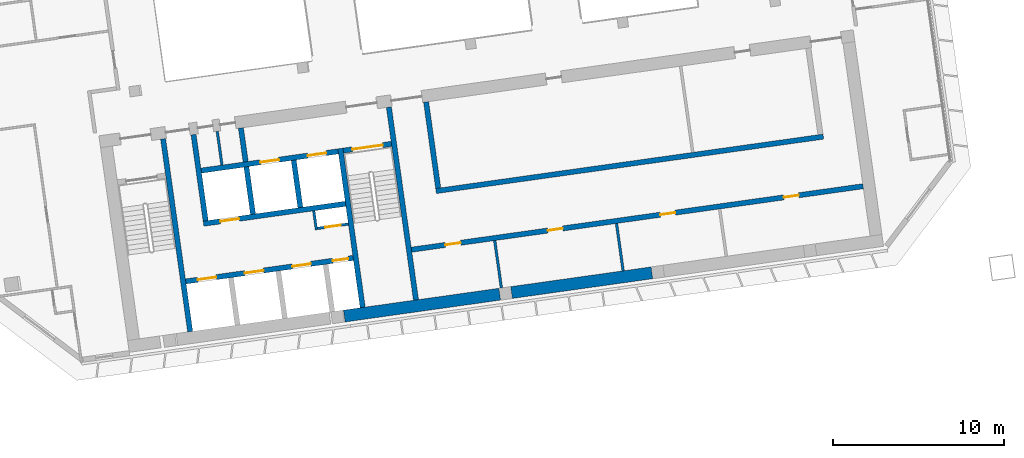
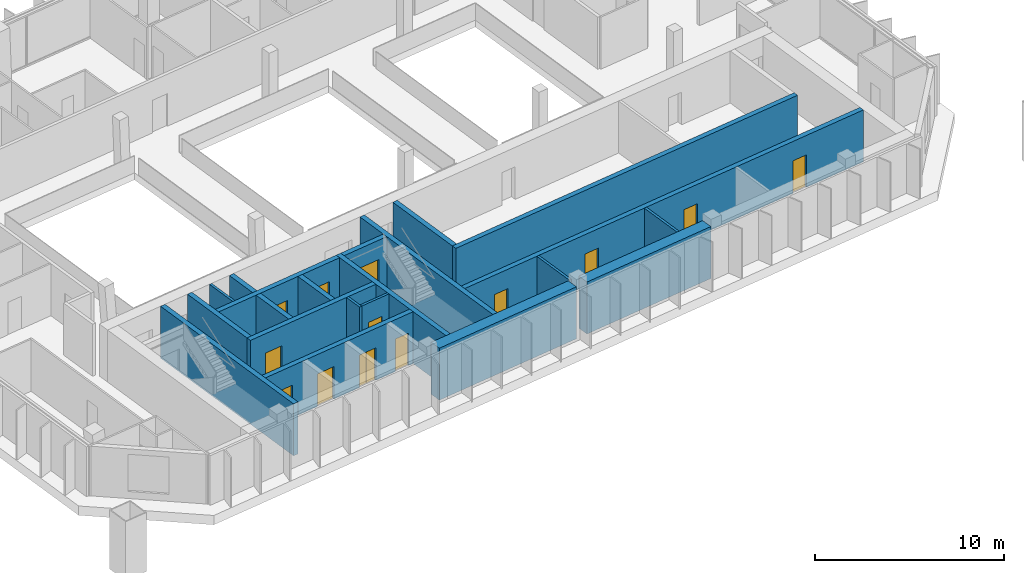
# One storey, part 18 of 23: 21 walls, 13 doors, 13 openings.
"""IFC4 building model written with IfcOpenShell, lengths in metres."""

from ifc_helpers import new_model, si_unit, direction, frame, frame_2d, origin, place, context, subcontext, project, spatial, rectangle, extrude, material, layer, layer_set, type_object, element, fill, save


model = new_model("IFC4")

# Units and contexts
model_context = context("Model", 3, precision=1e-05, world=origin(), true_north=direction((0.0, 1.0)))
body_context = subcontext(model_context, "Body", "Model", "MODEL_VIEW")
ifc_project = project(units=[si_unit("LENGTHUNIT", "METRE"), si_unit("AREAUNIT", "SQUARE_METRE"), si_unit("VOLUMEUNIT", "CUBIC_METRE"), si_unit("PLANEANGLEUNIT", "RADIAN"), si_unit("MASSUNIT", "GRAM", prefix="KILO")], contexts=[model_context])

# Site, building, storey
site_placement = place(None, origin())
site = spatial("IfcSite", under=ifc_project, at=site_placement, CompositionType="ELEMENT")
building_placement = place(site_placement, origin())
building = spatial("IfcBuilding", under=site, at=building_placement, Name="Mirante Cascada Hotel Towers", CompositionType="ELEMENT")
storey_placement = place(building_placement, frame((0.0, 0.0, 199.2)))
storey = spatial("IfcBuildingStorey", under=building, at=storey_placement, Name="L47", CompositionType="ELEMENT", Elevation=199.2)

# Wall
ifc_material_1 = material(Name="Masonry block", Category="masonry")
ifc_layer_1 = layer(ifc_material_1, 0.15)
ifc_layer_set_1 = layer_set([ifc_layer_1], Name="Core room partition 150 block EI 30")
wall_type_1 = type_object("IfcWallType", Name="Core room partition 150 block EI 30", PredefinedType="PARTITIONING", material=ifc_layer_set_1)
wall_1_placement = place(storey_placement, frame((48.2295, -12.793, 0.0), z_axis=(0.0, 0.0, 1.0), x_axis=(-0.1391935, 0.9902652, 0.0)))
element("IfcWall", 1, at=wall_1_placement, inside=storey, type_object=wall_type_1, Name="Core wall partition T2 L47 2", PredefinedType="PARTITIONING", context=body_context, shape_type="SweptSolid", body=[
    extrude(rectangle(XDim=1.1251, YDim=0.15, at=frame_2d((0.5626, 0.0))), origin(), (0.0, 0.0, 1.0), 3.35),
])

# Wall, opening, door
wall_2_placement = place(storey_placement, frame((48.2933, -12.7083, 0.0), z_axis=(0.0, 0.0, 1.0), x_axis=(0.990268, 0.1391734, 0.0)))
wall_2 = element("IfcWall", 2, at=wall_2_placement, inside=storey, type_object=wall_type_1, Name="Core wall partition T2 L47 3", PredefinedType="PARTITIONING", context=body_context, shape_type="SweptSolid", body=[
    extrude(rectangle(XDim=1.8251, YDim=0.15, at=frame_2d((0.9126, 0.0))), origin(), (0.0, 0.0, 1.0), 3.35),
])
opening_1_placement = place(wall_2_placement, frame((0.4625, 0.0, 0.0)))
opening_1 = element("IfcOpeningElement", 3, at=opening_1_placement, cuts=wall_2, Name="Opening D2-47-C15", PredefinedType="OPENING", context=body_context, shape_type="SweptSolid", body=[
    extrude(rectangle(XDim=0.9, YDim=2.1, at=frame_2d((0.45, 1.05))), frame((0.0, 0.075, 0.0), z_axis=(0.0, -1.0, 0.0), x_axis=(1.0, 0.0, 0.0)), (0.0, 0.0, 1.0), 0.15),
])
ifc_material_2 = material(Name="Hollow metal fire door leaf")
door_type_1 = type_object("IfcDoorType", Name="Fire door 900x2100 FD60", OperationType="NOTDEFINED", PredefinedType="DOOR", material=ifc_material_2)
door_1_placement = place(opening_1_placement, frame((0.9, 0.0, 0.0), z_axis=(0.0, 0.0, 1.0), x_axis=(-1.0, 0.0, 0.0)))
door_1 = element("IfcDoor", 4, at=door_1_placement, inside=storey, type_object=door_type_1, Name="Riser door T2 L47 15", OperationType="SINGLE_SWING_RIGHT", OverallHeight=2.1, OverallWidth=0.9, PredefinedType="DOOR", context=body_context, shape_type="SweptSolid", body=[
    extrude(rectangle(XDim=0.9, YDim=2.1, at=frame_2d((0.45, 1.05))), frame((0.0, 0.025, 0.0), z_axis=(0.0, -1.0, 0.0), x_axis=(1.0, 0.0, 0.0)), (0.0, 0.0, 1.0), 0.05),
])
fill(opening_1, door_1)

# Walls
wall_3_placement = place(storey_placement, frame((42.6979, -9.0009, 0.0), z_axis=(0.0, 0.0, 1.0), x_axis=(-0.1391529, 0.9902709, 0.0)))
element("IfcWall", 5, at=wall_3_placement, inside=storey, type_object=wall_type_1, Name="Core wall partition T2 L47 4", PredefinedType="PARTITIONING", context=body_context, shape_type="SweptSolid", body=[
    extrude(rectangle(XDim=2.0, YDim=0.15, at=frame_2d((1.0, 0.0))), origin(), (0.0, 0.0, 1.0), 3.35),
])
for number, where, z_axis, x_axis, name in (
    (6, (59.0582, -16.194, 0.0), (0.0, 0.0, 1.0), (-0.139181, 0.990267, 0.0), "Core wall partition T2 L47 6"),
    (7, (66.1881, -15.192, 0.0), (0.0, 0.0, 1.0), (-0.139141, 0.9902726, 0.0), "Core wall partition T2 L47 7"),
):
    element("IfcWall", number, at=place(storey_placement, frame(where, z_axis=z_axis, x_axis=x_axis)), inside=storey, type_object=wall_type_1, Name=name, PredefinedType="PARTITIONING", context=body_context, shape_type="SweptSolid", body=[
        extrude(rectangle(XDim=2.8, YDim=0.15, at=frame_2d((1.4, 0.0))), origin(), (0.0, 0.0, 1.0), 3.35),
    ])
ifc_material_3 = material(Name="Masonry block", Category="masonry")
ifc_layer_2 = layer(ifc_material_3, 0.3)
ifc_layer_set_2 = layer_set([ifc_layer_2], Name="Core wall 300 block EI 120")
wall_type_2 = type_object("IfcWallType", Name="Core wall 300 block EI 120", PredefinedType="PARTITIONING", material=ifc_layer_set_2)
wall_4_placement = place(storey_placement, frame((44.0843, -8.8061, 0.0), z_axis=(0.0, 0.0, 1.0), x_axis=(-0.1391951, 0.990265, 0.0)))
element("IfcWall", 8, at=wall_4_placement, inside=storey, type_object=wall_type_2, Name="Core wall partition T2 L47 1", PredefinedType="PARTITIONING", context=body_context, shape_type="SweptSolid", body=[
    extrude(rectangle(XDim=2.0001, YDim=0.3, at=frame_2d((1.0001, 0.0))), origin(), (0.0, 0.0, 1.0), 3.35),
])

# Wall, openings, doors
wall_5_placement = place(storey_placement, frame((53.7953, -13.9547, 0.0), z_axis=(0.0, 0.0, 1.0), x_axis=(0.9902677, 0.1391758, 0.0)))
wall_5 = element("IfcWall", 9, at=wall_5_placement, inside=storey, type_object=wall_type_2, Name="Core wall partition T2 L47 5", PredefinedType="PARTITIONING", context=body_context, shape_type="SweptSolid", body=[
    extrude(rectangle(XDim=26.7001, YDim=0.3, at=frame_2d((13.35, 0.0))), origin(), (0.0, 0.0, 1.0), 3.35),
])
opening_2_placement = place(wall_5_placement, frame((2.0, 0.0, 0.0)))
opening_2 = element("IfcOpeningElement", 10, at=opening_2_placement, cuts=wall_5, Name="Opening D2-47-C18", PredefinedType="OPENING", context=body_context, shape_type="SweptSolid", body=[
    extrude(rectangle(XDim=0.9, YDim=2.1, at=frame_2d((0.45, 1.05))), frame((0.0, 0.15, 0.0), z_axis=(0.0, -1.0, 0.0), x_axis=(1.0, 0.0, 0.0)), (0.0, 0.0, 1.0), 0.3),
])
opening_3_placement = place(wall_5_placement, frame((8.05, 0.0, 0.0)))
opening_3 = element("IfcOpeningElement", 11, at=opening_3_placement, cuts=wall_5, Name="Opening D2-47-C19", PredefinedType="OPENING", context=body_context, shape_type="SweptSolid", body=[
    extrude(rectangle(XDim=0.9, YDim=2.1, at=frame_2d((0.45, 1.05))), frame((0.0, 0.15, 0.0), z_axis=(0.0, -1.0, 0.0), x_axis=(1.0, 0.0, 0.0)), (0.0, 0.0, 1.0), 0.3),
])
opening_4_placement = place(wall_5_placement, frame((14.7, 0.0, 0.0)))
opening_4 = element("IfcOpeningElement", 12, at=opening_4_placement, cuts=wall_5, Name="Opening D2-47-C20", PredefinedType="OPENING", context=body_context, shape_type="SweptSolid", body=[
    extrude(rectangle(XDim=0.9, YDim=2.1, at=frame_2d((0.45, 1.05))), frame((0.0, 0.15, 0.0), z_axis=(0.0, -1.0, 0.0), x_axis=(1.0, 0.0, 0.0)), (0.0, 0.0, 1.0), 0.3),
])
opening_5_placement = place(wall_5_placement, frame((22.0, 0.0, 0.0)))
opening_5 = element("IfcOpeningElement", 13, at=opening_5_placement, cuts=wall_5, Name="Opening D2-47-C21", PredefinedType="OPENING", context=body_context, shape_type="SweptSolid", body=[
    extrude(rectangle(XDim=0.9, YDim=2.1, at=frame_2d((0.45, 1.05))), frame((0.0, 0.15, 0.0), z_axis=(0.0, -1.0, 0.0), x_axis=(1.0, 0.0, 0.0)), (0.0, 0.0, 1.0), 0.3),
])
door_2_placement = place(opening_2_placement, frame((0.9, 0.0, 0.0), z_axis=(0.0, 0.0, 1.0), x_axis=(-1.0, 0.0, 0.0)))
door_2 = element("IfcDoor", 14, at=door_2_placement, inside=storey, type_object=door_type_1, Name="Room door T2 L47 18", OperationType="SINGLE_SWING_LEFT", OverallHeight=2.1, OverallWidth=0.9, PredefinedType="DOOR", context=body_context, shape_type="SweptSolid", body=[
    extrude(rectangle(XDim=0.9, YDim=2.1, at=frame_2d((0.45, 1.05))), frame((0.0, 0.025, 0.0), z_axis=(0.0, -1.0, 0.0), x_axis=(1.0, 0.0, 0.0)), (0.0, 0.0, 1.0), 0.05),
])
fill(opening_2, door_2)
door_3_placement = place(opening_3_placement, frame((0.9, 0.0, 0.0), z_axis=(0.0, 0.0, 1.0), x_axis=(-1.0, 0.0, 0.0)))
door_3 = element("IfcDoor", 15, at=door_3_placement, inside=storey, type_object=door_type_1, Name="Room door T2 L47 19", OperationType="SINGLE_SWING_LEFT", OverallHeight=2.1, OverallWidth=0.9, PredefinedType="DOOR", context=body_context, shape_type="SweptSolid", body=[
    extrude(rectangle(XDim=0.9, YDim=2.1, at=frame_2d((0.45, 1.05))), frame((0.0, 0.025, 0.0), z_axis=(0.0, -1.0, 0.0), x_axis=(1.0, 0.0, 0.0)), (0.0, 0.0, 1.0), 0.05),
])
fill(opening_3, door_3)
door_4_placement = place(opening_4_placement, frame((0.9, 0.0, 0.0), z_axis=(0.0, 0.0, 1.0), x_axis=(-1.0, 0.0, 0.0)))
door_4 = element("IfcDoor", 16, at=door_4_placement, inside=storey, type_object=door_type_1, Name="Room door T2 L47 20", OperationType="SINGLE_SWING_RIGHT", OverallHeight=2.1, OverallWidth=0.9, PredefinedType="DOOR", context=body_context, shape_type="SweptSolid", body=[
    extrude(rectangle(XDim=0.9, YDim=2.1, at=frame_2d((0.45, 1.05))), frame((0.0, 0.025, 0.0), z_axis=(0.0, -1.0, 0.0), x_axis=(1.0, 0.0, 0.0)), (0.0, 0.0, 1.0), 0.05),
])
fill(opening_4, door_4)
door_5_placement = place(opening_5_placement, frame((0.9, 0.0, 0.0), z_axis=(0.0, 0.0, 1.0), x_axis=(-1.0, 0.0, 0.0)))
door_5 = element("IfcDoor", 17, at=door_5_placement, inside=storey, type_object=door_type_1, Name="Room door T2 L47 21", OperationType="SINGLE_SWING_RIGHT", OverallHeight=2.1, OverallWidth=0.9, PredefinedType="DOOR", context=body_context, shape_type="SweptSolid", body=[
    extrude(rectangle(XDim=0.9, YDim=2.1, at=frame_2d((0.45, 1.05))), frame((0.0, 0.025, 0.0), z_axis=(0.0, -1.0, 0.0), x_axis=(1.0, 0.0, 0.0)), (0.0, 0.0, 1.0), 0.05),
])
fill(opening_5, door_5)

# Walls
ifc_material_4 = material(Name="Concrete C50/60", Category="concrete")
ifc_layer_3 = layer(ifc_material_4, 0.3)
ifc_layer_set_3 = layer_set([ifc_layer_3], Name="RC core wall 300 C50/60")
wall_type_3 = type_object("IfcWallType", Name="RC core wall 300 C50/60", PredefinedType="SHEAR", material=ifc_layer_set_3)
wall_6_placement = place(storey_placement, frame((40.8373, -18.7548, 0.0), z_axis=(0.0, 0.0, 1.0), x_axis=(-0.1391749, 0.9902678, 0.0)))
element("IfcWall", 18, at=wall_6_placement, inside=storey, type_object=wall_type_3, Name="Core wall T2:L47:5", PredefinedType="SHEAR", context=body_context, shape_type="SweptSolid", body=[
    extrude(rectangle(XDim=11.4, YDim=0.3, at=frame_2d((5.7, 0.0))), origin(), (0.0, 0.0, 1.0), 3.35),
])
wall_7_placement = place(storey_placement, frame((50.938, -17.3352, 0.0), z_axis=(0.0, 0.0, 1.0), x_axis=(-0.1391706, 0.9902684, 0.0)))
element("IfcWall", 19, at=wall_7_placement, inside=storey, type_object=wall_type_3, Name="Core wall T2:L47:6", PredefinedType="SHEAR", context=body_context, shape_type="SweptSolid", body=[
    extrude(rectangle(XDim=9.4, YDim=0.3, at=frame_2d((4.7, 0.0))), origin(), (0.0, 0.0, 1.0), 3.35),
])
wall_8_placement = place(storey_placement, frame((54.0574, -16.8968, 0.0), z_axis=(0.0, 0.0, 1.0), x_axis=(-0.1391761, 0.9902677, 0.0)))
element("IfcWall", 20, at=wall_8_placement, inside=storey, type_object=wall_type_3, Name="Core wall T2:L47:7", PredefinedType="SHEAR", context=body_context, shape_type="SweptSolid", body=[
    extrude(rectangle(XDim=11.3999, YDim=0.3, at=frame_2d((5.7, 0.0))), origin(), (0.0, 0.0, 1.0), 3.35),
])

# Wall, opening, door
wall_9_placement = place(storey_placement, frame((49.7992, -8.1544, 0.0), z_axis=(0.0, 0.0, 1.0), x_axis=(0.9902656, 0.1391909, 0.0)))
wall_9 = element("IfcWall", 21, at=wall_9_placement, inside=storey, type_object=wall_type_3, Name="Core wall T2:L47:9", PredefinedType="SHEAR", context=body_context, shape_type="SweptSolid", body=[
    extrude(rectangle(XDim=2.85, YDim=0.3, at=frame_2d((1.425, 0.0))), origin(), (0.0, 0.0, 1.0), 3.35),
])
opening_6_placement = place(wall_9_placement, frame((0.525, 0.0, 0.0)))
opening_6 = element("IfcOpeningElement", 22, at=opening_6_placement, cuts=wall_9, Name="Opening D2-47-C09", PredefinedType="OPENING", context=body_context, shape_type="SweptSolid", body=[
    extrude(rectangle(XDim=1.8, YDim=2.1, at=frame_2d((0.9, 1.05))), frame((0.0, 0.15, 0.0), z_axis=(0.0, -1.0, 0.0), x_axis=(1.0, 0.0, 0.0)), (0.0, 0.0, 1.0), 0.3),
])
ifc_material_5 = material(Name="Hollow metal fire door leaf")
door_type_2 = type_object("IfcDoorType", Name="Double fire door 1800x2100 FD60", OperationType="DOUBLE_DOOR_SINGLE_SWING", PredefinedType="DOOR", material=ifc_material_5)
door_6_placement = place(opening_6_placement, frame((1.8, 0.0, 0.0), z_axis=(0.0, 0.0, 1.0), x_axis=(-1.0, 0.0, 0.0)))
door_6 = element("IfcDoor", 23, at=door_6_placement, inside=storey, type_object=door_type_2, Name="Stair door T2 L47 9", OperationType="DOUBLE_DOOR_SINGLE_SWING", OverallHeight=2.1, OverallWidth=1.8, PredefinedType="DOOR", context=body_context, shape_type="SweptSolid", body=[
    extrude(rectangle(XDim=0.895, YDim=2.1, at=frame_2d((0.4475, 1.05))), frame((0.0, 0.025, 0.0), z_axis=(0.0, -1.0, 0.0), x_axis=(1.0, 0.0, 0.0)), (0.0, 0.0, 1.0), 0.05),
    extrude(rectangle(XDim=0.895, YDim=2.1, at=frame_2d((1.3525, 1.05))), frame((0.0, 0.025, 0.0), z_axis=(0.0, -1.0, 0.0), x_axis=(1.0, 0.0, 0.0)), (0.0, 0.0, 1.0), 0.05),
])
fill(opening_6, door_6)

# Wall, openings, doors
wall_10_placement = place(storey_placement, frame((40.5753, -15.8126, 0.0), z_axis=(0.0, 0.0, 1.0), x_axis=(0.9902682, 0.1391725, 0.0)))
wall_10 = element("IfcWall", 24, at=wall_10_placement, inside=storey, type_object=wall_type_3, Name="Core wall T2:L47:10", PredefinedType="SHEAR", context=body_context, shape_type="SweptSolid", body=[
    extrude(rectangle(XDim=9.8999, YDim=0.3, at=frame_2d((4.95, 0.0))), origin(), (0.0, 0.0, 1.0), 3.35),
])
opening_7_placement = place(wall_10_placement, frame((0.7, 0.0, 0.0)))
opening_7 = element("IfcOpeningElement", 25, at=opening_7_placement, cuts=wall_10, Name="Opening LD", PredefinedType="OPENING", context=body_context, shape_type="SweptSolid", body=[
    extrude(rectangle(XDim=1.1, YDim=2.1, at=frame_2d((0.55, 1.05))), frame((0.0, 0.15, 0.0), z_axis=(0.0, -1.0, 0.0), x_axis=(1.0, 0.0, 0.0)), (0.0, 0.0, 1.0), 0.3),
])
opening_8_placement = place(wall_10_placement, frame((3.5, 0.0, 0.0)))
opening_8 = element("IfcOpeningElement", 26, at=opening_8_placement, cuts=wall_10, Name="Opening LD", PredefinedType="OPENING", context=body_context, shape_type="SweptSolid", body=[
    extrude(rectangle(XDim=1.1, YDim=2.1, at=frame_2d((0.55, 1.05))), frame((0.0, 0.15, 0.0), z_axis=(0.0, -1.0, 0.0), x_axis=(1.0, 0.0, 0.0)), (0.0, 0.0, 1.0), 0.3),
])
opening_9_placement = place(wall_10_placement, frame((6.3, 0.0, 0.0)))
opening_9 = element("IfcOpeningElement", 27, at=opening_9_placement, cuts=wall_10, Name="Opening LD", PredefinedType="OPENING", context=body_context, shape_type="SweptSolid", body=[
    extrude(rectangle(XDim=1.1, YDim=2.1, at=frame_2d((0.55, 1.05))), frame((0.0, 0.15, 0.0), z_axis=(0.0, -1.0, 0.0), x_axis=(1.0, 0.0, 0.0)), (0.0, 0.0, 1.0), 0.3),
])
opening_10_placement = place(wall_10_placement, frame((8.7, 0.0, 0.0)))
opening_10 = element("IfcOpeningElement", 28, at=opening_10_placement, cuts=wall_10, Name="Opening D2-47-C14", PredefinedType="OPENING", context=body_context, shape_type="SweptSolid", body=[
    extrude(rectangle(XDim=0.9, YDim=2.1, at=frame_2d((0.45, 1.05))), frame((0.0, 0.15, 0.0), z_axis=(0.0, -1.0, 0.0), x_axis=(1.0, 0.0, 0.0)), (0.0, 0.0, 1.0), 0.3),
])
door_7_placement = place(opening_10_placement, frame((0.9, 0.0, 0.0), z_axis=(0.0, 0.0, 1.0), x_axis=(-1.0, 0.0, 0.0)))
door_7 = element("IfcDoor", 29, at=door_7_placement, inside=storey, type_object=door_type_1, Name="Riser door T2 L47 14", OperationType="SINGLE_SWING_RIGHT", OverallHeight=2.1, OverallWidth=0.9, PredefinedType="DOOR", context=body_context, shape_type="SweptSolid", body=[
    extrude(rectangle(XDim=0.9, YDim=2.1, at=frame_2d((0.45, 1.05))), frame((0.0, 0.025, 0.0), z_axis=(0.0, -1.0, 0.0), x_axis=(1.0, 0.0, 0.0)), (0.0, 0.0, 1.0), 0.05),
])
fill(opening_10, door_7)
ifc_material_6 = material(Name="Stainless steel", Category="steel")
door_type_3 = type_object("IfcDoorType", Name="Lift landing door 1100x2100 EI 120", OperationType="DOUBLE_DOOR_SLIDING", PredefinedType="DOOR", material=ifc_material_6)
door_8_placement = place(opening_7_placement, origin())
door_8 = element("IfcDoor", 30, at=door_8_placement, inside=storey, type_object=door_type_3, Name="Lift landing door HR2-1 L47", OperationType="DOUBLE_DOOR_SLIDING", OverallHeight=2.1, OverallWidth=1.1, PredefinedType="DOOR", context=body_context, shape_type="SweptSolid", body=[
    extrude(rectangle(XDim=0.545, YDim=2.1, at=frame_2d((0.2725, 1.05))), frame((0.0, 0.025, 0.0), z_axis=(0.0, -1.0, 0.0), x_axis=(1.0, 0.0, 0.0)), (0.0, 0.0, 1.0), 0.05),
    extrude(rectangle(XDim=0.545, YDim=2.1, at=frame_2d((0.8275, 1.05))), frame((0.0, 0.025, 0.0), z_axis=(0.0, -1.0, 0.0), x_axis=(1.0, 0.0, 0.0)), (0.0, 0.0, 1.0), 0.05),
])
fill(opening_7, door_8)
door_9_placement = place(opening_8_placement, origin())
door_9 = element("IfcDoor", 31, at=door_9_placement, inside=storey, type_object=door_type_3, Name="Lift landing door HR2-2 L47", OperationType="DOUBLE_DOOR_SLIDING", OverallHeight=2.1, OverallWidth=1.1, PredefinedType="DOOR", context=body_context, shape_type="SweptSolid", body=[
    extrude(rectangle(XDim=0.545, YDim=2.1, at=frame_2d((0.2725, 1.05))), frame((0.0, 0.025, 0.0), z_axis=(0.0, -1.0, 0.0), x_axis=(1.0, 0.0, 0.0)), (0.0, 0.0, 1.0), 0.05),
    extrude(rectangle(XDim=0.545, YDim=2.1, at=frame_2d((0.8275, 1.05))), frame((0.0, 0.025, 0.0), z_axis=(0.0, -1.0, 0.0), x_axis=(1.0, 0.0, 0.0)), (0.0, 0.0, 1.0), 0.05),
])
fill(opening_8, door_9)
door_10_placement = place(opening_9_placement, origin())
door_10 = element("IfcDoor", 32, at=door_10_placement, inside=storey, type_object=door_type_3, Name="Lift landing door HR2-3 L47", OperationType="DOUBLE_DOOR_SLIDING", OverallHeight=2.1, OverallWidth=1.1, PredefinedType="DOOR", context=body_context, shape_type="SweptSolid", body=[
    extrude(rectangle(XDim=0.545, YDim=2.1, at=frame_2d((0.2725, 1.05))), frame((0.0, 0.025, 0.0), z_axis=(0.0, -1.0, 0.0), x_axis=(1.0, 0.0, 0.0)), (0.0, 0.0, 1.0), 0.05),
    extrude(rectangle(XDim=0.545, YDim=2.1, at=frame_2d((0.8275, 1.05))), frame((0.0, 0.025, 0.0), z_axis=(0.0, -1.0, 0.0), x_axis=(1.0, 0.0, 0.0)), (0.0, 0.0, 1.0), 0.05),
])
fill(opening_9, door_10)

# Wall, opening, door
wall_11_placement = place(storey_placement, frame((41.6153, -12.435, 0.0), z_axis=(0.0, 0.0, 1.0), x_axis=(0.9902691, 0.139166, 0.0)))
wall_11 = element("IfcWall", 33, at=wall_11_placement, inside=storey, type_object=wall_type_3, Name="Core wall T2:L47:11", PredefinedType="SHEAR", context=body_context, shape_type="SweptSolid", body=[
    extrude(rectangle(XDim=8.4, YDim=0.3, at=frame_2d((4.2, 0.0))), origin(), (0.0, 0.0, 1.0), 3.35),
])
opening_11_placement = place(wall_11_placement, frame((1.0, 0.0, 0.0)))
opening_11 = element("IfcOpeningElement", 34, at=opening_11_placement, cuts=wall_11, Name="Opening LD", PredefinedType="OPENING", context=body_context, shape_type="SweptSolid", body=[
    extrude(rectangle(XDim=1.1, YDim=2.1, at=frame_2d((0.55, 1.05))), frame((0.0, 0.15, 0.0), z_axis=(0.0, -1.0, 0.0), x_axis=(1.0, 0.0, 0.0)), (0.0, 0.0, 1.0), 0.3),
])
door_11_placement = place(opening_11_placement, origin())
door_11 = element("IfcDoor", 35, at=door_11_placement, inside=storey, type_object=door_type_3, Name="Lift landing door HR2-4 L47", OperationType="DOUBLE_DOOR_SLIDING", OverallHeight=2.1, OverallWidth=1.1, PredefinedType="DOOR", context=body_context, shape_type="SweptSolid", body=[
    extrude(rectangle(XDim=0.545, YDim=2.1, at=frame_2d((0.2725, 1.05))), frame((0.0, 0.025, 0.0), z_axis=(0.0, -1.0, 0.0), x_axis=(1.0, 0.0, 0.0)), (0.0, 0.0, 1.0), 0.05),
    extrude(rectangle(XDim=0.545, YDim=2.1, at=frame_2d((0.8275, 1.05))), frame((0.0, 0.025, 0.0), z_axis=(0.0, -1.0, 0.0), x_axis=(1.0, 0.0, 0.0)), (0.0, 0.0, 1.0), 0.05),
])
fill(opening_11, door_11)

# Wall, openings, doors
wall_12_placement = place(storey_placement, frame((41.481, -9.3234, 0.0), z_axis=(0.0, 0.0, 1.0), x_axis=(0.9902679, 0.1391741, 0.0)))
wall_12 = element("IfcWall", 36, at=wall_12_placement, inside=storey, type_object=wall_type_3, Name="Core wall T2:L47:12", PredefinedType="SHEAR", context=body_context, shape_type="SweptSolid", body=[
    extrude(rectangle(XDim=8.0999, YDim=0.3, at=frame_2d((4.05, 0.0))), origin(), (0.0, 0.0, 1.0), 3.35),
])
opening_12_placement = place(wall_12_placement, frame((3.5, 0.0, 0.0)))
opening_12 = element("IfcOpeningElement", 37, at=opening_12_placement, cuts=wall_12, Name="Opening LD", PredefinedType="OPENING", context=body_context, shape_type="SweptSolid", body=[
    extrude(rectangle(XDim=1.1, YDim=2.1, at=frame_2d((0.55, 1.05))), frame((0.0, 0.15, 0.0), z_axis=(0.0, -1.0, 0.0), x_axis=(1.0, 0.0, 0.0)), (0.0, 0.0, 1.0), 0.3),
])
opening_13_placement = place(wall_12_placement, frame((6.3, 0.0, 0.0)))
opening_13 = element("IfcOpeningElement", 38, at=opening_13_placement, cuts=wall_12, Name="Opening LD", PredefinedType="OPENING", context=body_context, shape_type="SweptSolid", body=[
    extrude(rectangle(XDim=1.1, YDim=2.1, at=frame_2d((0.55, 1.05))), frame((0.0, 0.15, 0.0), z_axis=(0.0, -1.0, 0.0), x_axis=(1.0, 0.0, 0.0)), (0.0, 0.0, 1.0), 0.3),
])
door_12_placement = place(opening_12_placement, origin())
door_12 = element("IfcDoor", 39, at=door_12_placement, inside=storey, type_object=door_type_3, Name="Lift landing door FF3 L47", OperationType="DOUBLE_DOOR_SLIDING", OverallHeight=2.1, OverallWidth=1.1, PredefinedType="DOOR", context=body_context, shape_type="SweptSolid", body=[
    extrude(rectangle(XDim=0.545, YDim=2.1, at=frame_2d((0.2725, 1.05))), frame((0.0, 0.025, 0.0), z_axis=(0.0, -1.0, 0.0), x_axis=(1.0, 0.0, 0.0)), (0.0, 0.0, 1.0), 0.05),
    extrude(rectangle(XDim=0.545, YDim=2.1, at=frame_2d((0.8275, 1.05))), frame((0.0, 0.025, 0.0), z_axis=(0.0, -1.0, 0.0), x_axis=(1.0, 0.0, 0.0)), (0.0, 0.0, 1.0), 0.05),
])
fill(opening_12, door_12)
door_13_placement = place(opening_13_placement, origin())
door_13 = element("IfcDoor", 40, at=door_13_placement, inside=storey, type_object=door_type_3, Name="Lift landing door FF4 L47", OperationType="DOUBLE_DOOR_SLIDING", OverallHeight=2.1, OverallWidth=1.1, PredefinedType="DOOR", context=body_context, shape_type="SweptSolid", body=[
    extrude(rectangle(XDim=0.545, YDim=2.1, at=frame_2d((0.2725, 1.05))), frame((0.0, 0.025, 0.0), z_axis=(0.0, -1.0, 0.0), x_axis=(1.0, 0.0, 0.0)), (0.0, 0.0, 1.0), 0.05),
    extrude(rectangle(XDim=0.545, YDim=2.1, at=frame_2d((0.8275, 1.05))), frame((0.0, 0.025, 0.0), z_axis=(0.0, -1.0, 0.0), x_axis=(1.0, 0.0, 0.0)), (0.0, 0.0, 1.0), 0.05),
])
fill(opening_13, door_13)

# Walls
for number, where, z_axis, x_axis, name in (
    (41, (44.5157, -11.8759, 0.0), (0.0, 0.0, 1.0), (-0.139181, 0.990267, 0.0), "Core wall T2:L47:16"),
    (42, (47.2885, -11.4862, 0.0), (0.0, 0.0, 1.0), (-0.139181, 0.990267, 0.0), "Core wall T2:L47:17"),
):
    element("IfcWall", number, at=place(storey_placement, frame(where, z_axis=z_axis, x_axis=x_axis)), inside=storey, type_object=wall_type_3, Name=name, PredefinedType="SHEAR", context=body_context, shape_type="SweptSolid", body=[
        extrude(rectangle(XDim=2.8, YDim=0.3, at=frame_2d((1.4, 0.0))), origin(), (0.0, 0.0, 1.0), 3.35),
    ])
wall_13_placement = place(storey_placement, frame((41.743, -12.2656, 0.0), z_axis=(0.0, 0.0, 1.0), x_axis=(-0.1391755, 0.9902677, 0.0)))
element("IfcWall", 43, at=wall_13_placement, inside=storey, type_object=wall_type_3, Name="Core wall T2:L47:18", PredefinedType="SHEAR", context=body_context, shape_type="SweptSolid", body=[
    extrude(rectangle(XDim=5.1, YDim=0.3, at=frame_2d((2.55, 0.0))), origin(), (0.0, 0.0, 1.0), 3.35),
])
wall_14_placement = place(storey_placement, frame((55.2315, -10.5214, 0.0), z_axis=(0.0, 0.0, 1.0), x_axis=(0.9902678, 0.1391749, 0.0)))
element("IfcWall", 44, at=wall_14_placement, inside=storey, type_object=wall_type_3, Name="Core wall T2:L47:27", PredefinedType="SHEAR", context=body_context, shape_type="SweptSolid", body=[
    extrude(rectangle(XDim=22.9, YDim=0.3, at=frame_2d((11.45, 0.0))), origin(), (0.0, 0.0, 1.0), 3.35),
])
wall_15_placement = place(storey_placement, frame((55.3592, -10.352, 0.0), z_axis=(0.0, 0.0, 1.0), x_axis=(-0.1391755, 0.9902677, 0.0)))
element("IfcWall", 45, at=wall_15_placement, inside=storey, type_object=wall_type_3, Name="Core wall T2:L47:28", PredefinedType="SHEAR", context=body_context, shape_type="SweptSolid", body=[
    extrude(rectangle(XDim=5.1, YDim=0.3, at=frame_2d((2.55, 0.0))), origin(), (0.0, 0.0, 1.0), 3.35),
])
ifc_material_7 = material(Name="Concrete C50/60", Category="concrete")
ifc_layer_4 = layer(ifc_material_7, 0.7)
ifc_layer_set_4 = layer_set([ifc_layer_4], Name="RC core wall 700 C50/60")
wall_type_4 = type_object("IfcWallType", Name="RC core wall 700 C50/60", PredefinedType="SHEAR", material=ifc_layer_set_4)
wall_16_placement = place(storey_placement, frame((49.862, -17.8399, 0.0), z_axis=(0.0, 0.0, 1.0), x_axis=(0.9902683, 0.1391714, 0.0)))
element("IfcWall", 46, at=wall_16_placement, inside=storey, type_object=wall_type_4, Name="Core wall T2:L47:1.3", PredefinedType="SHEAR", context=body_context, shape_type="SweptSolid", body=[
    extrude(rectangle(XDim=9.1858, YDim=0.7, at=frame_2d((4.5929, 0.0))), origin(), (0.0, 0.0, 1.0), 3.35),
])
wall_17_placement = place(storey_placement, frame((59.6516, -16.4641, 0.0), z_axis=(0.0, 0.0, 1.0), x_axis=(0.990267, 0.139181, 0.0)))
element("IfcWall", 47, at=wall_17_placement, inside=storey, type_object=wall_type_4, Name="Core wall T2:L47:1.4", PredefinedType="SHEAR", context=body_context, shape_type="SweptSolid", body=[
    extrude(rectangle(XDim=8.3, YDim=0.7, at=frame_2d((4.15, 0.0))), origin(), (0.0, 0.0, 1.0), 3.35),
])

save(model, "model.ifc")
